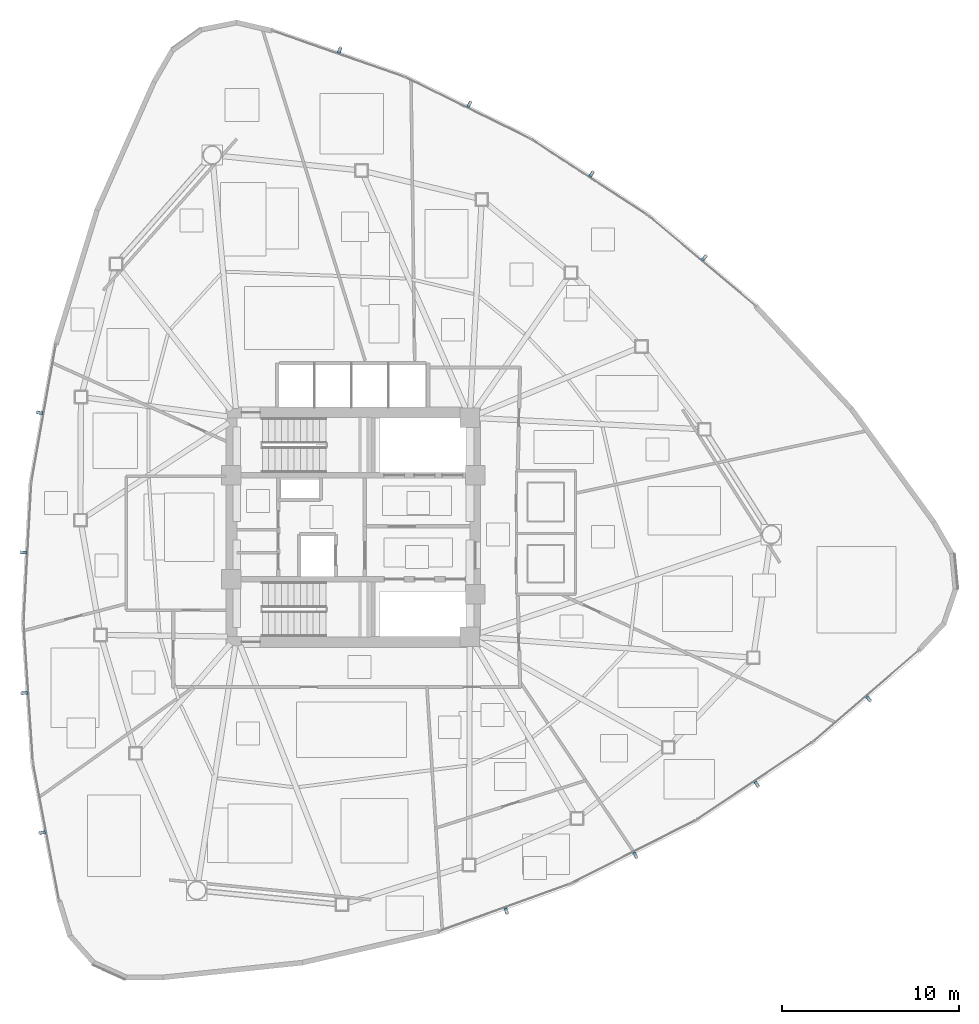
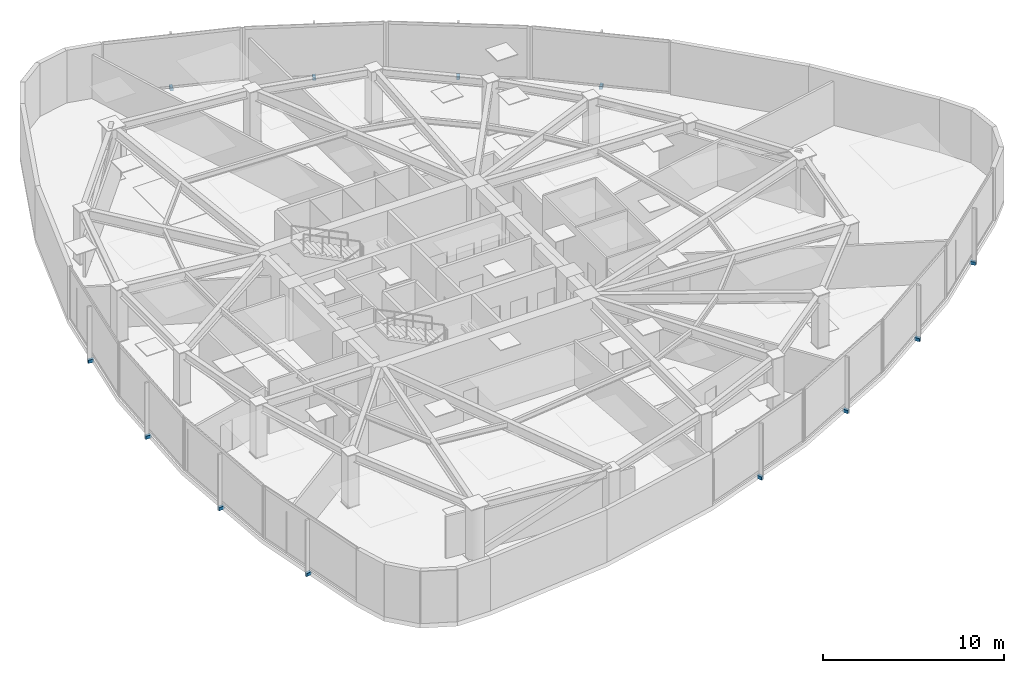
# One storey, part 13 of 17: 12 discrete accessories.
"""IFC4 building model written with IfcOpenShell, lengths in metres."""

from ifc_helpers import new_model, si_unit, direction, frame, origin, origin_2d, place, context, subcontext, project, spatial, rectangle, extrude, source, transform, mapped, material, type_object, type_shapes, element, save


model = new_model("IFC4")

# Units and contexts
model_context = context("Model", 3, precision=1e-05, world=origin(), true_north=direction((0.0, 1.0)))
body_context = subcontext(model_context, "Body", "Model", "MODEL_VIEW")
ifc_project = project(units=[si_unit("LENGTHUNIT", "METRE"), si_unit("AREAUNIT", "SQUARE_METRE"), si_unit("VOLUMEUNIT", "CUBIC_METRE"), si_unit("PLANEANGLEUNIT", "RADIAN"), si_unit("MASSUNIT", "GRAM", prefix="KILO")], contexts=[model_context])

# Site, building, storey
site_placement = place(None, origin())
site = spatial("IfcSite", under=ifc_project, at=site_placement, CompositionType="ELEMENT")
building_placement = place(site_placement, origin())
building = spatial("IfcBuilding", under=site, at=building_placement, Name="Tavelor Broadcast Tower", CompositionType="ELEMENT")
storey_placement = place(building_placement, frame((0.0, 0.0, 131.0)))
storey = spatial("IfcBuildingStorey", under=building, at=storey_placement, Name="L30", CompositionType="ELEMENT", Elevation=131.0)

# Discrete accessories
ifc_material = material(Name="Steel S355", Category="steel")
discrete_accessory_type = type_object("IfcDiscreteAccessoryType", Name="Stainless Baguette Outrigger Support Bracket 260x180", PredefinedType="BRACKET", material=ifc_material)
shared_shape = source(origin(), body_context, "Body", "SweptSolid", [
    extrude(rectangle(XDim=0.179931640625, YDim=0.340087890625, at=origin_2d()), origin(), (0.0, 0.0, 1.0), 0.216064453125),
])
type_shapes(discrete_accessory_type, [shared_shape])
for number, where, z_axis, x_axis, name in (
    (1, (32.240478515625, 51.48046875, -0.2578125), (0.0, 0.0, 1.0), (-0.175023058975, -0.984564334529, 0.0), "L30 Baguette Outrigger Bracket 289"),
    (2, (31.324951171875, 43.568115234375, -0.2578125), (0.0, 0.0, 1.0), (-0.054427364735, -0.998517732425, 0.0), "L30 Baguette Outrigger Bracket 290"),
    (3, (31.373779296875, 35.603271484375, -0.2578125), (0.0, 0.0, 1.0), (0.066796338919, -0.997766630584, 0.0), "L30 Baguette Outrigger Bracket 291"),
    (4, (32.385986328125, 27.702392578125, -0.2578125), (0.0, 0.0, 1.0), (0.187038420242, -0.982352599301, 0.0), "L30 Baguette Outrigger Bracket 292"),
    (5, (58.66748046875, 23.261962890625, -0.2578125), (0.0, 0.0, 1.0), (0.94016925485, 0.340707751944, 0.0), "L30 Baguette Outrigger Bracket 293"),
    (6, (65.9775390625, 26.42529296875, -0.2578125), (0.0, 0.0, 1.0), (0.892034301609, 0.45196770322, 0.0), "L30 Baguette Outrigger Bracket 294"),
    (7, (72.85107421875, 30.449951171875, -0.2578125), (0.0, 0.0, 1.0), (0.830693079675, 0.556730641675, 0.0), "L30 Baguette Outrigger Bracket 295"),
    (8, (79.18701171875, 35.27685546875, -0.2578125), (0.0, 0.0, 1.0), (0.757223096347, 0.653156323064, 0.0), "L30 Baguette Outrigger Bracket 296"),
    (9, (69.89208984375, 60.257568359375, -0.2578125), (0.0, 0.0, 1.0), (-0.765146195875, 0.643856582585, 0.0), "L30 Baguette Outrigger Bracket 297"),
    (10, (63.49755859375, 65.006591796875, -0.2578125), (0.0, 0.0, 1.0), (-0.837528040042, 0.546394346734, 0.0), "L30 Baguette Outrigger Bracket 298"),
    (11, (56.5751953125, 68.947021484375, -0.2578125), (0.0, 0.0, 1.0), (-0.897489418593, 0.441035988909, 0.0), "L30 Baguette Outrigger Bracket 299"),
    (12, (49.22705078125, 72.0205078125, -0.2578125), (0.0, 0.0, 1.0), (-0.944261516589, 0.329196276237, 0.0), "L30 Baguette Outrigger Bracket 300"),
):
    element("IfcDiscreteAccessory", number, at=place(storey_placement, frame(where, z_axis=z_axis, x_axis=x_axis)), inside=storey, type_object=discrete_accessory_type, Name=name, PredefinedType="BRACKET", context=body_context, shape_type="MappedRepresentation", body=[
        mapped(shared_shape, transform((0.0, 0.0, 0.0), scale=1.0)),
    ])

save(model, "model.ifc")
